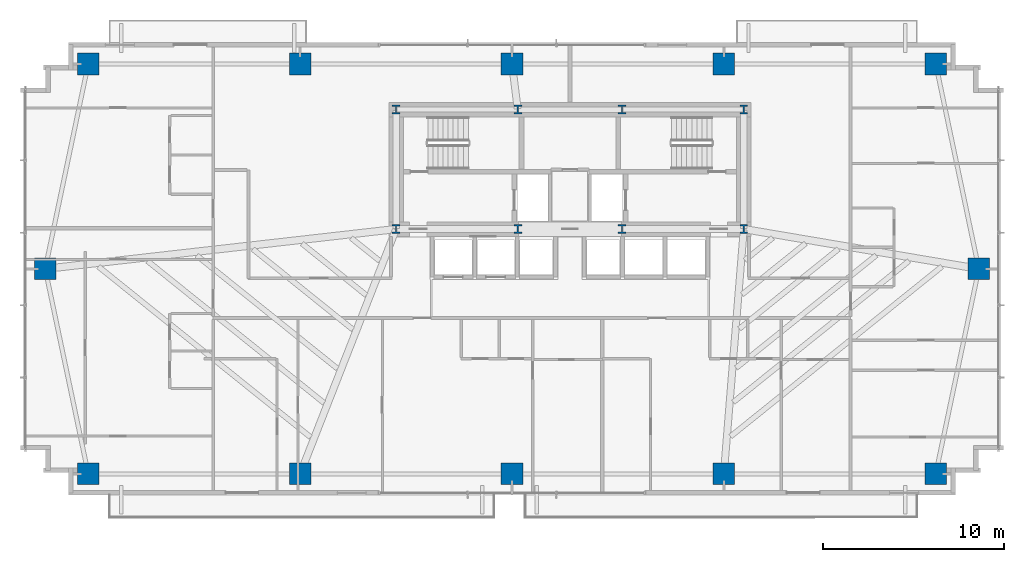
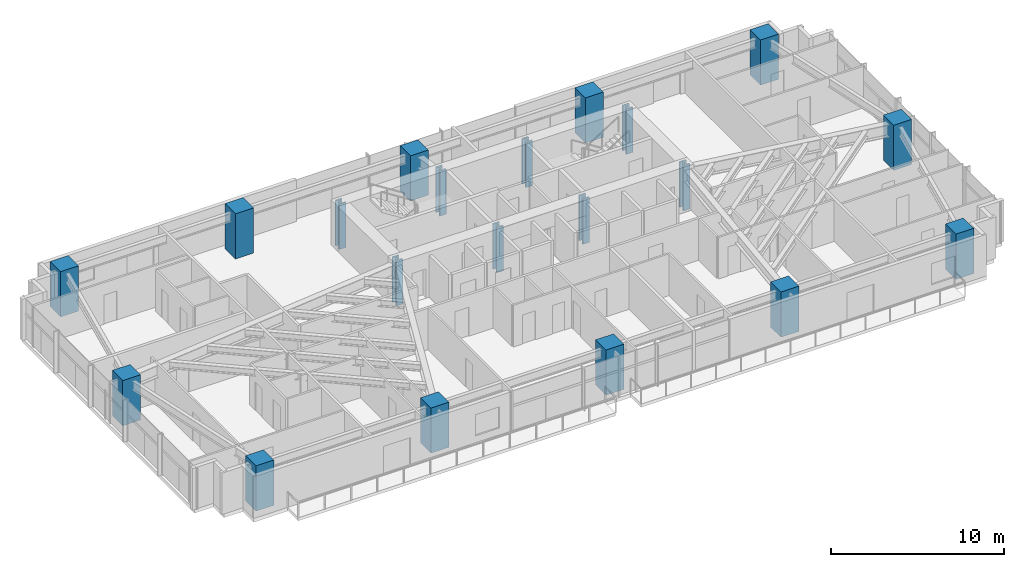
# One storey, part 1 of 25: 20 columns.
"""IFC4 building model written with IfcOpenShell, lengths in metres."""

from ifc_helpers import new_model, si_unit, direction, frame, origin, origin_2d, place, context, subcontext, project, spatial, rectangle, i_section, extrude, source, transform, mapped, material, material_profile, profile_set, type_object, type_shapes, element, save


model = new_model("IFC4")

# Units and contexts
model_context = context("Model", 3, precision=1e-05, world=origin(), true_north=direction((0.0, 1.0)))
body_context = subcontext(model_context, "Body", "Model", "MODEL_VIEW")
ifc_project = project(units=[si_unit("LENGTHUNIT", "METRE"), si_unit("AREAUNIT", "SQUARE_METRE"), si_unit("VOLUMEUNIT", "CUBIC_METRE"), si_unit("PLANEANGLEUNIT", "RADIAN"), si_unit("MASSUNIT", "GRAM", prefix="KILO")], contexts=[model_context])

# Site, building, storey
site_placement = place(None, origin())
site = spatial("IfcSite", under=ifc_project, at=site_placement, CompositionType="ELEMENT")
building_placement = place(site_placement, origin())
building = spatial("IfcBuilding", under=site, at=building_placement, Name="Astriad Promenade Condominiums", CompositionType="ELEMENT")
storey_placement = place(building_placement, frame((0.0, 0.0, 39.0)))
storey = spatial("IfcBuildingStorey", under=building, at=storey_placement, Name="L10", CompositionType="ELEMENT", Elevation=39.0)

# Columns
ifc_material_1 = material(Name="Steel ASTM A992 Grade 50", Category="steel")
ifc_material_profile_1 = material_profile(ifc_material_1, i_section(OverallWidth=0.43701171875, OverallDepth=0.51416015625, WebThickness=0.060546875, FlangeThickness=0.096923828125, FilletRadius=0.017822265625, at=origin_2d()), Name="W14X550")
ifc_profile_set_1 = profile_set([ifc_material_profile_1], Name="Steel ASTM A992 Grade 50")
column_type_1 = type_object("IfcColumnType", Name="STEEL CORE PILASTER W14X550", PredefinedType="PILASTER", material=ifc_profile_set_1)
shared_shape_1 = source(origin(), body_context, "Body", "SweptSolid", [
    extrude(i_section(OverallWidth=0.43701171875, OverallDepth=0.51416015625, WebThickness=0.060546875, FlangeThickness=0.096923828125, FilletRadius=0.017822265625, at=origin_2d()), origin(), (0.0, 0.0, 1.0), 3.196044921875),
])
type_shapes(column_type_1, [shared_shape_1])
for number, where, z_axis, x_axis, name in (
    (1, (26.39990234375, 17.39990234375, 0.001953125), (0.0, 0.0, 1.0), (1.0, 0.0, 0.0), "Core Pilaster Column CP1 (L10)"),
    (2, (33.1201171875, 17.39990234375, 0.001953125), (0.0, 0.0, 1.0), (1.0, 0.0, 0.0), "Core Pilaster Column CP2 (L10)"),
    (3, (38.8798828125, 17.39990234375, 0.001953125), (0.0, 0.0, 1.0), (1.0, 0.0, 0.0), "Core Pilaster Column CP3 (L10)"),
    (4, (45.60009765625, 17.39990234375, 0.001953125), (0.0, 0.0, 1.0), (1.0, 0.0, 0.0), "Core Pilaster Column CP4 (L10)"),
    (5, (26.39990234375, 24.0, 0.001953125), (0.0, 0.0, 1.0), (1.0, 0.0, 0.0), "Core Pilaster Column CP5 (L10)"),
    (6, (33.1201171875, 24.0, 0.001953125), (0.0, 0.0, 1.0), (1.0, 0.0, 0.0), "Core Pilaster Column CP6 (L10)"),
    (7, (38.8798828125, 24.0, 0.001953125), (0.0, 0.0, 1.0), (1.0, 0.0, 0.0), "Core Pilaster Column CP7 (L10)"),
    (8, (45.60009765625, 24.0, 0.001953125), (0.0, 0.0, 1.0), (1.0, 0.0, 0.0), "Core Pilaster Column CP8 (L10)"),
):
    element("IfcColumn", number, at=place(storey_placement, frame(where, z_axis=z_axis, x_axis=x_axis)), inside=storey, type_object=column_type_1, Name=name, PredefinedType="PILASTER", context=body_context, shape_type="MappedRepresentation", body=[
        mapped(shared_shape_1, transform((0.0, 0.0, 0.0), scale=1.0)),
    ])
ifc_material_2 = material(Name="Concrete C80/95", Category="concrete")
ifc_material_profile_2 = material_profile(ifc_material_2, rectangle(XDim=1.199951171875, YDim=1.199951171875, at=origin_2d()), Name="RC-COL-1200X1200")
ifc_profile_set_2 = profile_set([ifc_material_profile_2], Name="Concrete C80/95")
column_type_2 = type_object("IfcColumnType", Name="CONCRETE MEGA COLUMN 1200X1200", PredefinedType="COLUMN", material=ifc_profile_set_2)
shared_shape_2 = source(origin(), body_context, "Body", "SweptSolid", [
    extrude(rectangle(XDim=1.199951171875, YDim=1.199951171875, at=origin_2d()), origin(), (0.0, 0.0, 1.0), 3.196044921875),
])
type_shapes(column_type_2, [shared_shape_2])
for number, where, z_axis, x_axis, name in (
    (9, (9.39990234375, 3.8798828125, 0.001953125), (0.0, 0.0, 1.0), (1.0, 0.0, 0.0), "Perimeter Column PC01 (L10)"),
    (10, (21.10009765625, 3.8798828125, 0.001953125), (0.0, 0.0, 1.0), (1.0, 0.0, 0.0), "Perimeter Column PC02 (L10)"),
    (11, (32.800048828125, 3.8798828125, 0.001953125), (0.0, 0.0, 1.0), (1.0, 0.0, 0.0), "Perimeter Column PC03 (L10)"),
    (12, (44.5, 3.8798828125, 0.001953125), (0.0, 0.0, 1.0), (1.0, 0.0, 0.0), "Perimeter Column PC04 (L10)"),
    (13, (56.199951171875, 3.8798828125, 0.001953125), (0.0, 0.0, 1.0), (1.0, 0.0, 0.0), "Perimeter Column PC05 (L10)"),
    (14, (9.39990234375, 26.52001953125, 0.001953125), (0.0, 0.0, 1.0), (1.0, 0.0, 0.0), "Perimeter Column PC06 (L10)"),
    (15, (21.10009765625, 26.52001953125, 0.001953125), (0.0, 0.0, 1.0), (1.0, 0.0, 0.0), "Perimeter Column PC07 (L10)"),
    (16, (32.800048828125, 26.52001953125, 0.001953125), (0.0, 0.0, 1.0), (1.0, 0.0, 0.0), "Perimeter Column PC08 (L10)"),
    (17, (44.5, 26.52001953125, 0.001953125), (0.0, 0.0, 1.0), (1.0, 0.0, 0.0), "Perimeter Column PC09 (L10)"),
    (18, (56.199951171875, 26.52001953125, 0.001953125), (0.0, 0.0, 1.0), (1.0, 0.0, 0.0), "Perimeter Column PC10 (L10)"),
    (19, (7.02001953125, 15.199951171875, 0.001953125), (0.0, 0.0, 1.0), (1.0, 0.0, 0.0), "Perimeter Column PC11 (L10)"),
    (20, (58.580078125, 15.199951171875, 0.001953125), (0.0, 0.0, 1.0), (1.0, 0.0, 0.0), "Perimeter Column PC12 (L10)"),
):
    element("IfcColumn", number, at=place(storey_placement, frame(where, z_axis=z_axis, x_axis=x_axis)), inside=storey, type_object=column_type_2, Name=name, PredefinedType="COLUMN", context=body_context, shape_type="MappedRepresentation", body=[
        mapped(shared_shape_2, transform((0.0, 0.0, 0.0), scale=1.0)),
    ])

save(model, "model.ifc")
